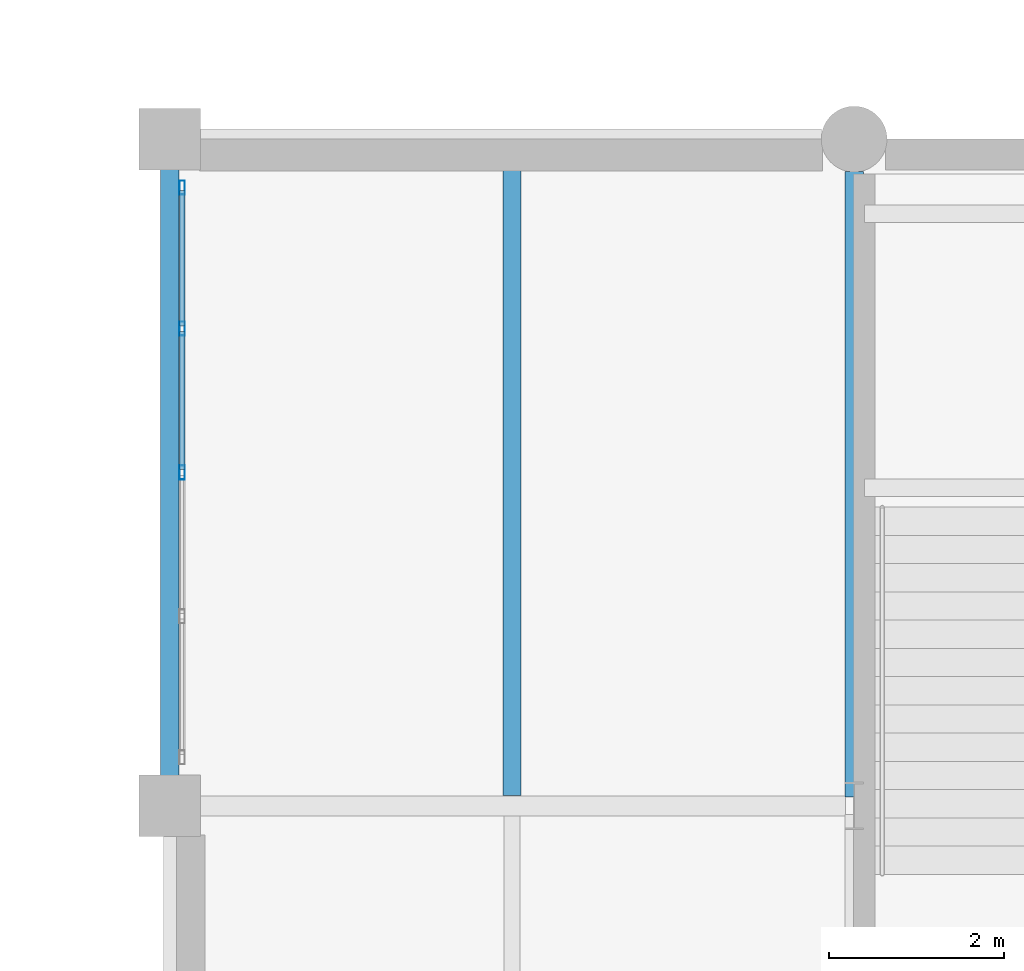
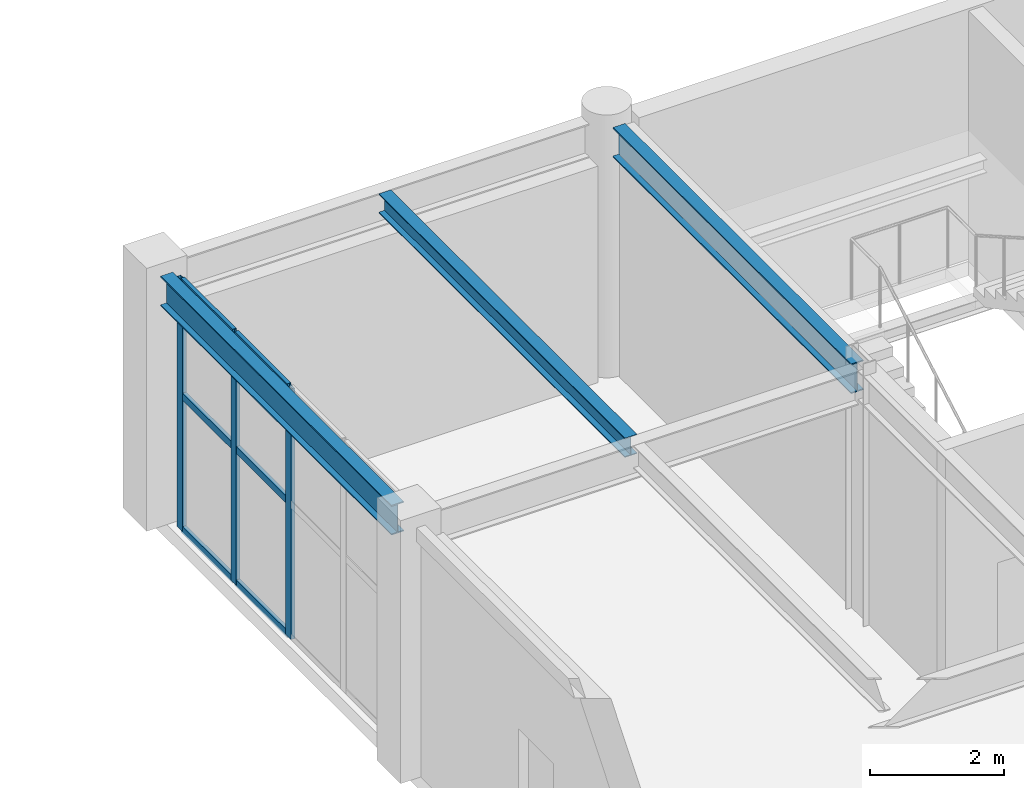
# One storey, part 36 of 72: 9 members, 3 beams, 1 element without a shape of its own.
"""IFC4 building model written with IfcOpenShell, lengths in metres."""

from ifc_helpers import new_model, si_unit, direction, frame, origin, origin_2d, place, context, subcontext, project, spatial, hollow_rectangle, i_section, extrude, material, layer, layer_set, material_profile, profile_set, type_object, element, aggregate, save


model = new_model("IFC4")

# Units and contexts
model_context = context("Model", 3, precision=1e-05, world=origin(), true_north=direction((0.0, 1.0)))
body_context = subcontext(model_context, "Body", "Model", "MODEL_VIEW")
ifc_project = project(units=[si_unit("LENGTHUNIT", "METRE"), si_unit("AREAUNIT", "SQUARE_METRE"), si_unit("VOLUMEUNIT", "CUBIC_METRE"), si_unit("PLANEANGLEUNIT", "RADIAN"), si_unit("MASSUNIT", "GRAM", prefix="KILO")], contexts=[model_context])

# Site, building, storey
site_placement = place(None, origin())
site = spatial("IfcSite", under=ifc_project, at=site_placement, CompositionType="ELEMENT")
building_placement = place(site_placement, origin())
building = spatial("IfcBuilding", under=site, at=building_placement, Name="Xicomal Pleat Aquarium", CompositionType="ELEMENT")
storey_placement = place(building_placement, frame((0.0, 0.0, 10.5)))
storey = spatial("IfcBuildingStorey", under=building, at=storey_placement, Name="L03", CompositionType="ELEMENT", Elevation=10.5)

# Beams
ifc_material_1 = material(Name="Structural steel A992 Gr 50", Category="steel")
ifc_material_profile_1 = material_profile(ifc_material_1, i_section(OverallWidth=0.205078125, OverallDepth=0.35400390625, WebThickness=0.009521484375, FlangeThickness=0.016845703125, at=origin_2d()), Name="IR 360x79")
ifc_profile_set_1 = profile_set([ifc_material_profile_1], Name="Structural steel A992 Gr 50")
beam_type_1 = type_object("IfcBeamType", Name="BM-STL-IR360", PredefinedType="JOIST", material=ifc_profile_set_1)
beam_1_placement = place(storey_placement, frame((137.699951171875, 22.91796875, 4.39794921875), z_axis=(0.0, 1.0, 0.0), x_axis=(-1.0, 0.0, 0.0)))
element("IfcBeam", 1, at=beam_1_placement, inside=storey, type_object=beam_type_1, Name="L03 framing beam FBJ-L03-17-D-1", PredefinedType="JOIST", context=body_context, shape_type="SweptSolid", body=[
    extrude(i_section(OverallWidth=0.205078125, OverallDepth=0.35400390625, WebThickness=0.009521484375, FlangeThickness=0.016845703125, at=origin_2d()), origin(), (0.0, 0.0, 1.0), 7.364013671875),
])
ifc_material_2 = material(Name="Structural steel A992 Gr 50", Category="steel")
ifc_material_profile_2 = material_profile(ifc_material_2, i_section(OverallWidth=0.2119140625, OverallDepth=0.5439453125, WebThickness=0.01318359375, FlangeThickness=0.021240234375, at=origin_2d()), Name="IR 530x123")
ifc_profile_set_2 = profile_set([ifc_material_profile_2], Name="Structural steel A992 Gr 50")
beam_type_2 = type_object("IfcBeamType", Name="BM-STL-IR530", PredefinedType="BEAM", material=ifc_profile_set_2)
beam_2_placement = place(storey_placement, frame((133.800048828125, 23.14501953125, 4.302978515625), z_axis=(0.0, 1.0, 0.0), x_axis=(-1.0, 0.0, 0.0)))
element("IfcBeam", 2, at=beam_2_placement, inside=storey, type_object=beam_type_2, Name="L03 framing beam FGY-L03-17-D-E", PredefinedType="BEAM", context=body_context, shape_type="SweptSolid", body=[
    extrude(i_section(OverallWidth=0.2119140625, OverallDepth=0.5439453125, WebThickness=0.01318359375, FlangeThickness=0.021240234375, at=origin_2d()), origin(), (0.0, 0.0, 1.0), 6.909912109375),
])
beam_3_placement = place(storey_placement, frame((141.60009765625, 22.90087890625, 4.302978515625), z_axis=(0.0, 1.0, 0.0), x_axis=(-1.0, 0.0, 0.0)))
element("IfcBeam", 3, at=beam_3_placement, inside=storey, type_object=beam_type_2, Name="L03 framing beam FGY-L03-18-D-E", PredefinedType="BEAM", context=body_context, shape_type="SweptSolid", body=[
    extrude(i_section(OverallWidth=0.2119140625, OverallDepth=0.5439453125, WebThickness=0.01318359375, FlangeThickness=0.021240234375, at=origin_2d()), origin(), (0.0, 0.0, 1.0), 7.129150390625),
])

# Curtain wall, members
ifc_material_3 = material(Name="Bronze anodized aluminium 6063-T6", Category="aluminium")
ifc_layer = layer(ifc_material_3, 0.159912109375)
ifc_layer_set = layer_set([ifc_layer], Name="Bronze anodized aluminium 6063-T6")
curtain_wall_type = type_object("IfcCurtainWallType", Name="CW-SYS-03", PredefinedType="NOTDEFINED", material=ifc_layer_set)
curtain_wall_placement = place(storey_placement, origin())
curtain_wall = element("IfcCurtainWall", 4, at=curtain_wall_placement, inside=storey, type_object=curtain_wall_type, Name="L03 unitised curtain wall CW-L03-150", PredefinedType="NOTDEFINED")
ifc_material_4 = material(Name="Bronze anodized aluminium 6063-T6", Category="aluminium")
ifc_material_profile_3 = material_profile(ifc_material_4, hollow_rectangle(XDim=0.06494140625, YDim=0.159912109375, WallThickness=0.00390625, at=origin_2d()), Name="ALU MULL 65x160")
ifc_profile_set_3 = profile_set([ifc_material_profile_3], Name="Bronze anodized aluminium 6063-T6")
member_type_1 = type_object("IfcMemberType", Name="CWM-65x160", PredefinedType="MULLION", material=ifc_profile_set_3)
member_1_placement = place(storey_placement, frame((133.93994140625, 26.60009765625, 0.0), z_axis=(0.0, 0.0, 1.0), x_axis=(-1.0, 0.0, 0.0)))
member_1 = element("IfcMember", 5, at=member_1_placement, type_object=member_type_1, Name="CW-03 mullion 3", PredefinedType="MULLION", context=body_context, shape_type="SweptSolid", body=[
    extrude(hollow_rectangle(XDim=0.06494140625, YDim=0.159912109375, WallThickness=0.00390625, at=origin_2d()), origin(), (0.0, 0.0, 1.0), 4.574951171875),
])
member_2_placement = place(storey_placement, frame((133.93994140625, 28.239990234375, 0.0), z_axis=(0.0, 0.0, 1.0), x_axis=(-1.0, 0.0, 0.0)))
member_2 = element("IfcMember", 6, at=member_2_placement, type_object=member_type_1, Name="CW-03 mullion 4", PredefinedType="MULLION", context=body_context, shape_type="SweptSolid", body=[
    extrude(hollow_rectangle(XDim=0.06494140625, YDim=0.159912109375, WallThickness=0.00390625, at=origin_2d()), origin(), (0.0, 0.0, 1.0), 4.574951171875),
])
member_3_placement = place(storey_placement, frame((133.93994140625, 29.847412109375, 0.0), z_axis=(0.0, 0.0, 1.0), x_axis=(-1.0, 0.0, 0.0)))
member_3 = element("IfcMember", 7, at=member_3_placement, type_object=member_type_1, Name="CW-03 mullion 5", PredefinedType="MULLION", context=body_context, shape_type="SweptSolid", body=[
    extrude(hollow_rectangle(XDim=0.06494140625, YDim=0.159912109375, WallThickness=0.00390625, at=origin_2d()), origin(), (0.0, 0.0, 1.0), 4.574951171875),
])
ifc_material_5 = material(Name="Bronze anodized aluminium 6063-T6", Category="aluminium")
ifc_material_profile_4 = material_profile(ifc_material_5, hollow_rectangle(XDim=0.06494140625, YDim=0.1298828125, WallThickness=0.00390625, at=origin_2d()), Name="ALU TRAN 65x130")
ifc_profile_set_4 = profile_set([ifc_material_profile_4], Name="Bronze anodized aluminium 6063-T6")
member_type_2 = type_object("IfcMemberType", Name="CWT-65x130", PredefinedType="USERDEFINED", material=ifc_profile_set_4)
member_4_placement = place(storey_placement, frame((133.93994140625, 26.632568359375, 0.032470703125), z_axis=(0.0, 1.0, 0.0), x_axis=(-1.0, 0.0, 0.0)))
member_4 = element("IfcMember", 8, at=member_4_placement, type_object=member_type_2, Name="CW-03 transom 3.1", ObjectType="TRANSOM", PredefinedType="USERDEFINED", context=body_context, shape_type="SweptSolid", body=[
    extrude(hollow_rectangle(XDim=0.06494140625, YDim=0.1298828125, WallThickness=0.00390625, at=origin_2d()), origin(), (0.0, 0.0, 1.0), 1.574951171875),
])
member_5_placement = place(storey_placement, frame((133.93994140625, 26.632568359375, 2.469970703125), z_axis=(0.0, 1.0, 0.0), x_axis=(-1.0, 0.0, 0.0)))
member_5 = element("IfcMember", 9, at=member_5_placement, type_object=member_type_2, Name="CW-03 transom 3.2", ObjectType="TRANSOM", PredefinedType="USERDEFINED", context=body_context, shape_type="SweptSolid", body=[
    extrude(hollow_rectangle(XDim=0.06494140625, YDim=0.1298828125, WallThickness=0.00390625, at=origin_2d()), origin(), (0.0, 0.0, 1.0), 1.574951171875),
])
member_6_placement = place(storey_placement, frame((133.93994140625, 26.632568359375, 4.54248046875), z_axis=(0.0, 1.0, 0.0), x_axis=(-1.0, 0.0, 0.0)))
member_6 = element("IfcMember", 10, at=member_6_placement, type_object=member_type_2, Name="CW-03 transom 3.3", ObjectType="TRANSOM", PredefinedType="USERDEFINED", context=body_context, shape_type="SweptSolid", body=[
    extrude(hollow_rectangle(XDim=0.06494140625, YDim=0.1298828125, WallThickness=0.00390625, at=origin_2d()), origin(), (0.0, 0.0, 1.0), 1.574951171875),
])
member_7_placement = place(storey_placement, frame((133.93994140625, 28.2724609375, 0.032470703125), z_axis=(0.0, 1.0, 0.0), x_axis=(-1.0, 0.0, 0.0)))
member_7 = element("IfcMember", 11, at=member_7_placement, type_object=member_type_2, Name="CW-03 transom 4.1", ObjectType="TRANSOM", PredefinedType="USERDEFINED", context=body_context, shape_type="SweptSolid", body=[
    extrude(hollow_rectangle(XDim=0.06494140625, YDim=0.1298828125, WallThickness=0.00390625, at=origin_2d()), origin(), (0.0, 0.0, 1.0), 1.54248046875),
])
member_8_placement = place(storey_placement, frame((133.93994140625, 28.2724609375, 2.469970703125), z_axis=(0.0, 1.0, 0.0), x_axis=(-1.0, 0.0, 0.0)))
member_8 = element("IfcMember", 12, at=member_8_placement, type_object=member_type_2, Name="CW-03 transom 4.2", ObjectType="TRANSOM", PredefinedType="USERDEFINED", context=body_context, shape_type="SweptSolid", body=[
    extrude(hollow_rectangle(XDim=0.06494140625, YDim=0.1298828125, WallThickness=0.00390625, at=origin_2d()), origin(), (0.0, 0.0, 1.0), 1.54248046875),
])
member_9_placement = place(storey_placement, frame((133.93994140625, 28.2724609375, 4.54248046875), z_axis=(0.0, 1.0, 0.0), x_axis=(-1.0, 0.0, 0.0)))
member_9 = element("IfcMember", 13, at=member_9_placement, type_object=member_type_2, Name="CW-03 transom 4.3", ObjectType="TRANSOM", PredefinedType="USERDEFINED", context=body_context, shape_type="SweptSolid", body=[
    extrude(hollow_rectangle(XDim=0.06494140625, YDim=0.1298828125, WallThickness=0.00390625, at=origin_2d()), origin(), (0.0, 0.0, 1.0), 1.54248046875),
])
aggregate(curtain_wall, [member_1, member_2, member_3, member_4, member_5, member_6, member_7, member_8, member_9])

save(model, "model.ifc")
